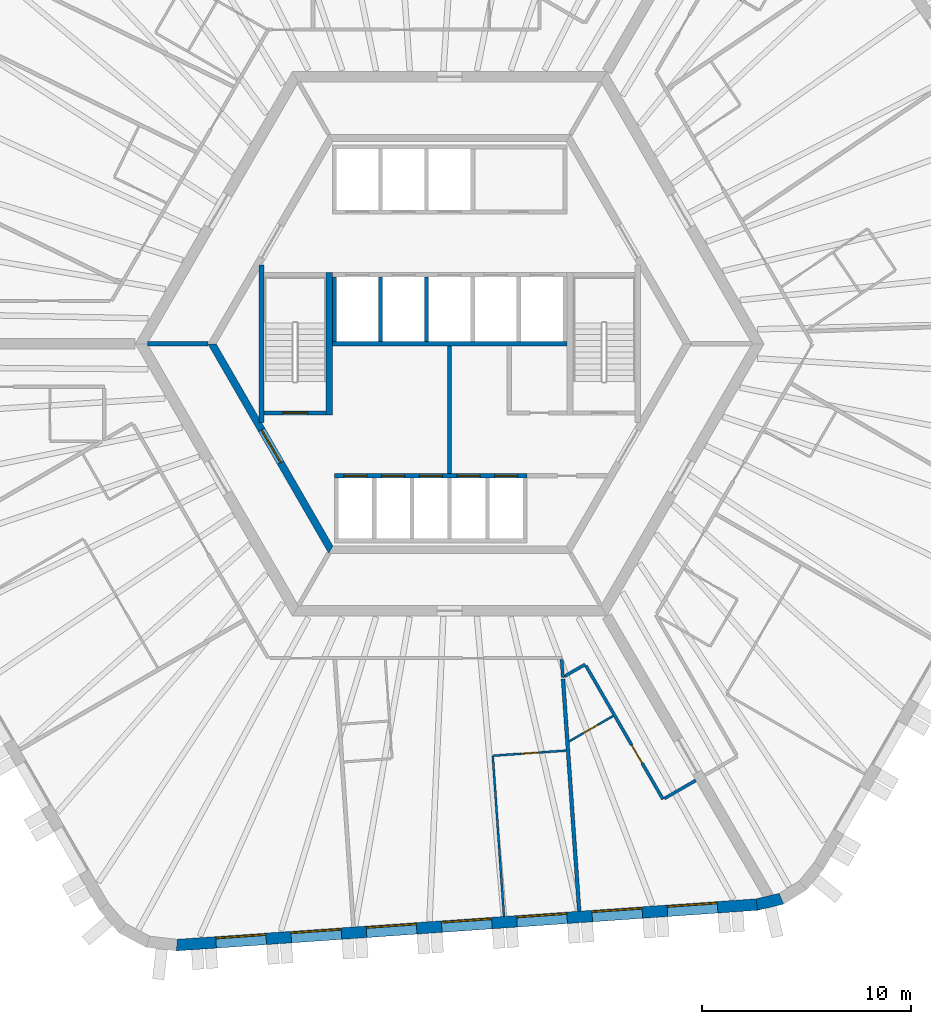
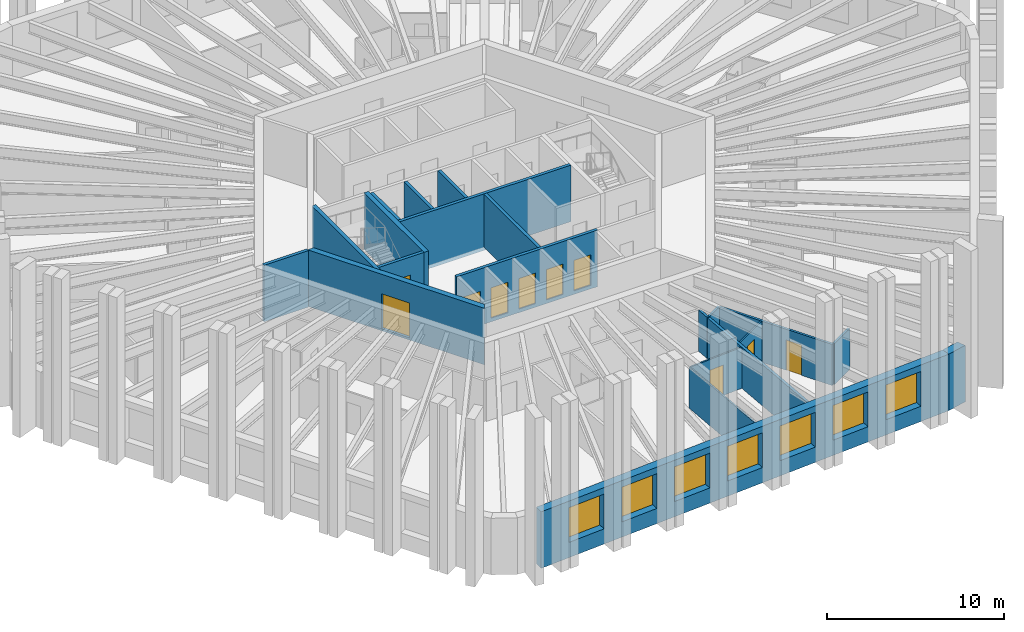
# One storey, part 4 of 10: 21 walls, 10 doors, 7 windows, 17 openings.
"""IFC4 building model written with IfcOpenShell, lengths in metres."""

from ifc_helpers import new_model, si_unit, direction, frame, frame_2d, origin, place, context, subcontext, project, spatial, polyline, rectangle, outline, extrude, material, layer, layer_set, type_object, element, fill, save


model = new_model("IFC4")

# Units and contexts
model_context = context("Model", 3, precision=1e-05, world=origin(), true_north=direction((0.0, 1.0)))
body_context = subcontext(model_context, "Body", "Model", "MODEL_VIEW")
ifc_project = project(units=[si_unit("LENGTHUNIT", "METRE"), si_unit("AREAUNIT", "SQUARE_METRE"), si_unit("VOLUMEUNIT", "CUBIC_METRE"), si_unit("PLANEANGLEUNIT", "RADIAN"), si_unit("MASSUNIT", "GRAM", prefix="KILO")], contexts=[model_context])

# Site, building, storey
site_placement = place(None, origin())
site = spatial("IfcSite", under=ifc_project, at=site_placement, CompositionType="ELEMENT")
building_placement = place(site_placement, origin())
building = spatial("IfcBuilding", under=site, at=building_placement, Name="Tarnside Tower", CompositionType="ELEMENT")
storey_placement = place(building_placement, frame((0.0, 0.0, 238.5)))
storey = spatial("IfcBuildingStorey", under=building, at=storey_placement, Name="L57", CompositionType="ELEMENT", Elevation=238.5)

# Wall, opening, door
ifc_material_1 = material(Name="Gypsum board partition on steel studs", Category="steel")
ifc_layer_1 = layer(ifc_material_1, 0.10009765625)
ifc_layer_set_1 = layer_set([ifc_layer_1], Name="Bathroom wall 100")
wall_type_1 = type_object("IfcWallType", Name="Bathroom wall 100", PredefinedType="PARTITIONING", material=ifc_layer_set_1)
wall_1_placement = place(storey_placement, frame((7.80322265625, -17.765380859375, 0.0), z_axis=(0.0, 0.0, 1.0), x_axis=(-0.865997239347, -0.500048779063, 0.0)))
wall_1 = element("IfcWall", 1, at=wall_1_placement, inside=storey, type_object=wall_type_1, Name="Bathroom wall 19097", PredefinedType="PARTITIONING", context=body_context, shape_type="SweptSolid", body=[
    extrude(rectangle(XDim=2.417724609375, YDim=0.10009765625, at=frame_2d((1.208984375, 0.0))), origin(), (0.0, 0.0, 1.0), 2.837890625),
])
opening_1_placement = place(wall_1_placement, frame((0.824951171875, 0.0, 0.0)))
opening_1 = element("IfcOpeningElement", 2, at=opening_1_placement, cuts=wall_1, Name="Opening D-B1", PredefinedType="OPENING", context=body_context, shape_type="SweptSolid", body=[
    extrude(rectangle(XDim=0.800048828125, YDim=2.10009765625, at=frame_2d((0.39990234375, 1.050048828125))), frame((0.0, 0.06005859375, 0.0), z_axis=(0.0, -1.0, 0.0), x_axis=(1.0, 0.0, 0.0)), (0.0, 0.0, 1.0), 0.1201171875),
])
ifc_material_2 = material(Name="Timber door leaf", Category="wood")
door_type_1 = type_object("IfcDoorType", Name="Bathroom door 800", OperationType="NOTDEFINED", PredefinedType="DOOR", material=ifc_material_2)
door_1_placement = place(opening_1_placement, origin())
door_1 = element("IfcDoor", 3, at=door_1_placement, inside=storey, type_object=door_type_1, Name="Bathroom door 19025", OperationType="SINGLE_SWING_LEFT", OverallHeight=2.10009765625, OverallWidth=0.800048828125, PredefinedType="DOOR", context=body_context, shape_type="SweptSolid", body=[
    extrude(rectangle(XDim=0.800048828125, YDim=2.10009765625, at=frame_2d((0.39990234375, 1.050048828125))), frame((0.0, 0.02490234375, 0.0), z_axis=(0.0, -1.0, 0.0), x_axis=(1.0, 0.0, 0.0)), (0.0, 0.0, 1.0), 0.050048828125),
])
fill(opening_1, door_1)

ifc_material_3 = material(Name="Concrete C50/60", Category="concrete")
ifc_layer_2 = layer(ifc_material_3, 0.35009765625)
ifc_layer_set_2 = layer_set([ifc_layer_2], Name="Core block wall 350 C50/60")
wall_type_2 = type_object("IfcWallType", Name="Core block wall 350 C50/60", PredefinedType="SHEAR", material=ifc_layer_set_2)
wall_2_placement = place(storey_placement, frame((-11.344970703125, 0.0, -0.14990234375), z_axis=(0.0, 0.0, 1.0), x_axis=(0.499995046907, -0.866028263435, 0.0)))
wall_2 = element("IfcWall", 4, at=wall_2_placement, inside=storey, type_object=wall_type_2, Name="L57 core block wall face 3", PredefinedType="SHEAR", context=body_context, shape_type="SweptSolid", body=[
    extrude(outline(polyline([(-0.10107421875, -0.175048828125), (11.44580078125, -0.175048828125), (11.24365234375, 0.175048828125), (0.10107421875, 0.175048828125), (-0.10107421875, -0.175048828125)])), origin(), (0.0, 0.0, 1.0), 3.89990234375),
])
opening_2_placement = place(wall_2_placement, frame((4.74365234375, 0.0, 0.14990234375)))
opening_2 = element("IfcOpeningElement", 5, at=opening_2_placement, cuts=wall_2, Name="Opening CD-FFL", PredefinedType="OPENING", context=body_context, shape_type="SweptSolid", body=[
    extrude(rectangle(XDim=1.800048828125, YDim=2.39990234375, at=frame_2d((0.89990234375, 1.199951171875))), frame((0.0, 0.18505859375, 0.0), z_axis=(0.0, -1.0, 0.0), x_axis=(1.0, 0.0, 0.0)), (0.0, 0.0, 1.0), 0.3701171875),
])
ifc_material_4 = material(Name="Steel fire door", Category="steel")
door_type_2 = type_object("IfcDoorType", Name="Firefighting lobby double door FD60S 1800x2400", OperationType="NOTDEFINED", PredefinedType="DOOR", material=ifc_material_4)
door_2_placement = place(opening_2_placement, origin())
door_2 = element("IfcDoor", 6, at=door_2_placement, inside=storey, type_object=door_type_2, Name="L57 lobby block door P3", OperationType="DOUBLE_DOOR_SINGLE_SWING", OverallHeight=2.39990234375, OverallWidth=1.800048828125, PredefinedType="DOOR", context=body_context, shape_type="SweptSolid", body=[
    extrude(rectangle(XDim=1.800048828125, YDim=2.39990234375, at=frame_2d((0.89990234375, 1.199951171875))), frame((0.0, 0.02490234375, 0.0), z_axis=(0.0, -1.0, 0.0), x_axis=(1.0, 0.0, 0.0)), (0.0, 0.0, 1.0), 0.050048828125),
])
fill(opening_2, door_2)

# Walls
ifc_material_5 = material(Name="Concrete C40/50", Category="concrete")
ifc_layer_3 = layer(ifc_material_5, 0.199951171875)
ifc_layer_set_3 = layer_set([ifc_layer_3], Name="Core room partition 200 C40/50")
wall_type_3 = type_object("IfcWallType", Name="Core room partition 200 C40/50", PredefinedType="PARTITIONING", material=ifc_layer_set_3)
wall_3_placement = place(storey_placement, frame((0.0, -6.199951171875, 0.0), z_axis=(0.0, 0.0, 1.0), x_axis=(0.0, 1.0, 0.0)))
element("IfcWall", 7, at=wall_3_placement, inside=storey, type_object=wall_type_3, Name="L57 core partition X0", PredefinedType="PARTITIONING", context=body_context, shape_type="SweptSolid", body=[
    extrude(rectangle(XDim=6.099853515625, YDim=0.199951171875, at=frame_2d((3.0498046875, 0.0))), origin(), (0.0, 0.0, 1.0), 3.64990234375),
])
ifc_layer_4 = layer(ifc_material_1, 0.14990234375)
ifc_layer_set_4 = layer_set([ifc_layer_4], Name="Corridor wall 150 EI 60")
wall_type_4 = type_object("IfcWallType", Name="Corridor wall 150 EI 60", PredefinedType="PARTITIONING", material=ifc_layer_set_4)
wall_4_placement = place(storey_placement, frame((5.3466796875, -15.074951171875, 0.0), z_axis=(0.0, 0.0, 1.0), x_axis=(0.069731635013, -0.997565786842, 0.0)))
element("IfcWall", 8, at=wall_4_placement, inside=storey, type_object=wall_type_4, Name="Corridor wall 19028", PredefinedType="PARTITIONING", context=body_context, shape_type="SweptSolid", body=[
    extrude(rectangle(XDim=0.84716796875, YDim=0.14990234375, at=frame_2d((0.423583984375, 0.0))), origin(), (0.0, 0.0, 1.0), 2.837890625),
])

# Wall, opening, door
wall_5_placement = place(storey_placement, frame((6.505615234375, -15.3681640625, 0.0), z_axis=(0.0, 0.0, 1.0), x_axis=(0.499995202058, -0.86602817386, 0.0)))
wall_5 = element("IfcWall", 9, at=wall_5_placement, inside=storey, type_object=wall_type_4, Name="Corridor wall 19030", PredefinedType="PARTITIONING", context=body_context, shape_type="SweptSolid", body=[
    extrude(rectangle(XDim=7.36083984375, YDim=0.14990234375, at=frame_2d((3.680419921875, 0.0))), origin(), (0.0, 0.0, 1.0), 2.837890625),
])
opening_3_placement = place(wall_5_placement, frame((4.367919921875, 0.0, 0.0)))
opening_3 = element("IfcOpeningElement", 10, at=opening_3_placement, cuts=wall_5, Name="Opening D-E1", PredefinedType="OPENING", context=body_context, shape_type="SweptSolid", body=[
    extrude(rectangle(XDim=1.0, YDim=2.10009765625, at=frame_2d((0.5, 1.050048828125))), frame((0.0, 0.0849609375, 0.0), z_axis=(0.0, -1.0, 0.0), x_axis=(1.0, 0.0, 0.0)), (0.0, 0.0, 1.0), 0.169921875),
])
door_type_3 = type_object("IfcDoorType", Name="Unit entrance door 1000 FD30S", OperationType="NOTDEFINED", PredefinedType="DOOR", material=ifc_material_2)
door_3_placement = place(opening_3_placement, origin())
door_3 = element("IfcDoor", 11, at=door_3_placement, inside=storey, type_object=door_type_3, Name="Unit door 19024", OperationType="SINGLE_SWING_RIGHT", OverallHeight=2.10009765625, OverallWidth=1.0, PredefinedType="DOOR", context=body_context, shape_type="SweptSolid", body=[
    extrude(rectangle(XDim=1.0, YDim=2.10009765625, at=frame_2d((0.5, 1.050048828125))), frame((0.0, 0.02490234375, 0.0), z_axis=(0.0, -1.0, 0.0), x_axis=(1.0, 0.0, 0.0)), (0.0, 0.0, 1.0), 0.050048828125),
])
fill(opening_3, door_3)

# Walls
wall_6_placement = place(storey_placement, frame((10.2509765625, -21.705322265625, 0.0), z_axis=(0.0, 0.0, 1.0), x_axis=(0.866013532718, 0.500020560727, 0.0)))
element("IfcWall", 12, at=wall_6_placement, inside=storey, type_object=wall_type_4, Name="Corridor wall 19031", PredefinedType="PARTITIONING", context=body_context, shape_type="SweptSolid", body=[
    extrude(rectangle(XDim=1.72509765625, YDim=0.14990234375, at=frame_2d((0.862548828125, 0.0))), origin(), (0.0, 0.0, 1.0), 2.837890625),
])
wall_7_placement = place(storey_placement, frame((5.477783203125, -15.875, 0.0), z_axis=(0.0, 0.0, 1.0), x_axis=(0.866000689289, 0.500042804318, 0.0)))
element("IfcWall", 13, at=wall_7_placement, inside=storey, type_object=wall_type_4, Name="Corridor wall 19032", PredefinedType="PARTITIONING", context=body_context, shape_type="SweptSolid", body=[
    extrude(rectangle(XDim=1.1435546875, YDim=0.14990234375, at=frame_2d((0.57177734375, 0.0))), origin(), (0.0, 0.0, 1.0), 2.837890625),
])
ifc_layer_5 = layer(ifc_material_1, 0.179931640625)
ifc_layer_set_5 = layer_set([ifc_layer_5], Name="Demising wall 180 EI 60")
wall_type_5 = type_object("IfcWallType", Name="Demising wall 180 EI 60", PredefinedType="PARTITIONING", material=ifc_layer_set_5)
wall_8_placement = place(storey_placement, frame((6.186279296875, -27.08447265625, 0.0), z_axis=(0.0, 0.0, 1.0), x_axis=(-0.069737079037, 0.99756540628, 0.0)))
element("IfcWall", 14, at=wall_8_placement, inside=storey, type_object=wall_type_5, Name="Demising wall 19093", PredefinedType="PARTITIONING", context=body_context, shape_type="SweptSolid", body=[
    extrude(rectangle(XDim=11.11181640625, YDim=0.179931640625, at=frame_2d((5.555908203125, 0.0))), origin(), (0.0, 0.0, 1.0), 2.837890625),
])
ifc_layer_6 = layer(ifc_material_5, 0.199951171875)
ifc_layer_set_6 = layer_set([ifc_layer_6], Name="Lift shaft wall 200 C40/50")
wall_type_6 = type_object("IfcWallType", Name="Lift shaft wall 200 C40/50", PredefinedType="SHEAR", material=ifc_layer_set_6)
wall_9_placement = place(storey_placement, frame((-5.60009765625, 0.0, -0.25), z_axis=(0.0, 0.0, 1.0), x_axis=(1.0, 0.0, 0.0)))
element("IfcWall", 15, at=wall_9_placement, inside=storey, type_object=wall_type_6, Name="L57 lift shaft back wall R2", PredefinedType="SHEAR", context=body_context, shape_type="SweptSolid", body=[
    extrude(rectangle(XDim=11.2001953125, YDim=0.199951171875, at=frame_2d((5.60009765625, 0.0))), origin(), (0.0, 0.0, 1.0), 3.89990234375),
])
for number, where, z_axis, x_axis, name in (
    (16, (-5.5, 0.10009765625, -0.25), (0.0, 0.0, 1.0), (0.0, 1.0, 0.0), "L57 lift shaft partition R21"),
    (17, (-3.300048828125, 0.10009765625, -0.25), (0.0, 0.0, 1.0), (0.0, 1.0, 0.0), "L57 lift shaft partition R22"),
    (18, (-1.10009765625, 0.10009765625, -0.25), (0.0, 0.0, 1.0), (0.0, 1.0, 0.0), "L57 lift shaft partition R23"),
):
    element("IfcWall", number, at=place(storey_placement, frame(where, z_axis=z_axis, x_axis=x_axis)), inside=storey, type_object=wall_type_6, Name=name, PredefinedType="SHEAR", context=body_context, shape_type="SweptSolid", body=[
        extrude(rectangle(XDim=3.099853515625, YDim=0.199951171875, at=frame_2d((1.5498046875, 0.0))), origin(), (0.0, 0.0, 1.0), 3.89990234375),
    ])

# Wall, openings, doors
wall_10_placement = place(storey_placement, frame((-5.5, -6.300048828125, -0.25), z_axis=(0.0, 0.0, 1.0), x_axis=(1.0, 0.0, 0.0)))
wall_10 = element("IfcWall", 19, at=wall_10_placement, inside=storey, type_object=wall_type_6, Name="L57 lift shaft front wall R4", PredefinedType="SHEAR", context=body_context, shape_type="SweptSolid", body=[
    extrude(rectangle(XDim=9.199951171875, YDim=0.199951171875, at=frame_2d((4.60009765625, 0.0))), origin(), (0.0, 0.0, 1.0), 3.89990234375),
])
opening_4_placement = place(wall_10_placement, frame((0.449951171875, 0.0, 0.25)))
opening_4 = element("IfcOpeningElement", 20, at=opening_4_placement, cuts=wall_10, Name="Opening LDF", PredefinedType="OPENING", context=body_context, shape_type="SweptSolid", body=[
    extrude(rectangle(XDim=1.10009765625, YDim=2.10009765625, at=frame_2d((0.550048828125, 1.050048828125))), frame((0.0, 0.10986328125, 0.0), z_axis=(0.0, -1.0, 0.0), x_axis=(1.0, 0.0, 0.0)), (0.0, 0.0, 1.0), 0.219970703125),
])
opening_5_placement = place(wall_10_placement, frame((2.25, 0.0, 0.25)))
opening_5 = element("IfcOpeningElement", 21, at=opening_5_placement, cuts=wall_10, Name="Opening LDF", PredefinedType="OPENING", context=body_context, shape_type="SweptSolid", body=[
    extrude(rectangle(XDim=1.10009765625, YDim=2.10009765625, at=frame_2d((0.550048828125, 1.050048828125))), frame((0.0, 0.10986328125, 0.0), z_axis=(0.0, -1.0, 0.0), x_axis=(1.0, 0.0, 0.0)), (0.0, 0.0, 1.0), 0.219970703125),
])
opening_6_placement = place(wall_10_placement, frame((4.050048828125, 0.0, 0.25)))
opening_6 = element("IfcOpeningElement", 22, at=opening_6_placement, cuts=wall_10, Name="Opening LDF", PredefinedType="OPENING", context=body_context, shape_type="SweptSolid", body=[
    extrude(rectangle(XDim=1.10009765625, YDim=2.10009765625, at=frame_2d((0.550048828125, 1.050048828125))), frame((0.0, 0.10986328125, 0.0), z_axis=(0.0, -1.0, 0.0), x_axis=(1.0, 0.0, 0.0)), (0.0, 0.0, 1.0), 0.219970703125),
])
opening_7_placement = place(wall_10_placement, frame((5.85009765625, 0.0, 0.25)))
opening_7 = element("IfcOpeningElement", 23, at=opening_7_placement, cuts=wall_10, Name="Opening LDF", PredefinedType="OPENING", context=body_context, shape_type="SweptSolid", body=[
    extrude(rectangle(XDim=1.10009765625, YDim=2.10009765625, at=frame_2d((0.550048828125, 1.050048828125))), frame((0.0, 0.10986328125, 0.0), z_axis=(0.0, -1.0, 0.0), x_axis=(1.0, 0.0, 0.0)), (0.0, 0.0, 1.0), 0.219970703125),
])
opening_8_placement = place(wall_10_placement, frame((7.64990234375, 0.0, 0.25)))
opening_8 = element("IfcOpeningElement", 24, at=opening_8_placement, cuts=wall_10, Name="Opening LDF", PredefinedType="OPENING", context=body_context, shape_type="SweptSolid", body=[
    extrude(rectangle(XDim=1.10009765625, YDim=2.10009765625, at=frame_2d((0.550048828125, 1.050048828125))), frame((0.0, 0.10986328125, 0.0), z_axis=(0.0, -1.0, 0.0), x_axis=(1.0, 0.0, 0.0)), (0.0, 0.0, 1.0), 0.219970703125),
])
ifc_material_6 = material(Name="Stainless steel", Category="steel")
door_type_4 = type_object("IfcDoorType", Name="Lift landing door 1100x2100 EI 120", OperationType="NOTDEFINED", PredefinedType="DOOR", material=ifc_material_6)
door_4_placement = place(opening_4_placement, origin())
door_4 = element("IfcDoor", 25, at=door_4_placement, inside=storey, type_object=door_type_4, Name="Firefighting lift 1 landing door L57", OperationType="SLIDING_TO_LEFT", OverallHeight=2.10009765625, OverallWidth=1.10009765625, PredefinedType="DOOR", context=body_context, shape_type="SweptSolid", body=[
    extrude(rectangle(XDim=1.10009765625, YDim=2.10009765625, at=frame_2d((0.550048828125, 1.050048828125))), frame((0.0, 0.02490234375, 0.0), z_axis=(0.0, -1.0, 0.0), x_axis=(1.0, 0.0, 0.0)), (0.0, 0.0, 1.0), 0.050048828125),
])
fill(opening_4, door_4)
door_5_placement = place(opening_5_placement, origin())
door_5 = element("IfcDoor", 26, at=door_5_placement, inside=storey, type_object=door_type_4, Name="Firefighting lift 2 landing door L57", OperationType="SLIDING_TO_LEFT", OverallHeight=2.10009765625, OverallWidth=1.10009765625, PredefinedType="DOOR", context=body_context, shape_type="SweptSolid", body=[
    extrude(rectangle(XDim=1.10009765625, YDim=2.10009765625, at=frame_2d((0.550048828125, 1.050048828125))), frame((0.0, 0.02490234375, 0.0), z_axis=(0.0, -1.0, 0.0), x_axis=(1.0, 0.0, 0.0)), (0.0, 0.0, 1.0), 0.050048828125),
])
fill(opening_5, door_5)
door_6_placement = place(opening_6_placement, origin())
door_6 = element("IfcDoor", 27, at=door_6_placement, inside=storey, type_object=door_type_4, Name="Firefighting lift 3 landing door L57", OperationType="SLIDING_TO_LEFT", OverallHeight=2.10009765625, OverallWidth=1.10009765625, PredefinedType="DOOR", context=body_context, shape_type="SweptSolid", body=[
    extrude(rectangle(XDim=1.10009765625, YDim=2.10009765625, at=frame_2d((0.550048828125, 1.050048828125))), frame((0.0, 0.02490234375, 0.0), z_axis=(0.0, -1.0, 0.0), x_axis=(1.0, 0.0, 0.0)), (0.0, 0.0, 1.0), 0.050048828125),
])
fill(opening_6, door_6)
door_7_placement = place(opening_7_placement, origin())
door_7 = element("IfcDoor", 28, at=door_7_placement, inside=storey, type_object=door_type_4, Name="Firefighting lift 4 landing door L57", OperationType="SLIDING_TO_LEFT", OverallHeight=2.10009765625, OverallWidth=1.10009765625, PredefinedType="DOOR", context=body_context, shape_type="SweptSolid", body=[
    extrude(rectangle(XDim=1.10009765625, YDim=2.10009765625, at=frame_2d((0.550048828125, 1.050048828125))), frame((0.0, 0.02490234375, 0.0), z_axis=(0.0, -1.0, 0.0), x_axis=(1.0, 0.0, 0.0)), (0.0, 0.0, 1.0), 0.050048828125),
])
fill(opening_7, door_7)
door_8_placement = place(opening_8_placement, origin())
door_8 = element("IfcDoor", 29, at=door_8_placement, inside=storey, type_object=door_type_4, Name="Firefighting lift 5 landing door L57", OperationType="SLIDING_TO_LEFT", OverallHeight=2.10009765625, OverallWidth=1.10009765625, PredefinedType="DOOR", context=body_context, shape_type="SweptSolid", body=[
    extrude(rectangle(XDim=1.10009765625, YDim=2.10009765625, at=frame_2d((0.550048828125, 1.050048828125))), frame((0.0, 0.02490234375, 0.0), z_axis=(0.0, -1.0, 0.0), x_axis=(1.0, 0.0, 0.0)), (0.0, 0.0, 1.0), 0.050048828125),
])
fill(opening_8, door_8)

# Wall
wall_11_placement = place(storey_placement, frame((-11.547119140625, 0.0, -0.14990234375), z_axis=(0.0, 0.0, 1.0), x_axis=(-1.0, 0.0, 0.0)))
element("IfcWall", 30, at=wall_11_placement, inside=storey, type_object=wall_type_6, Name="L57 core partition AR180", PredefinedType="SHEAR", context=body_context, shape_type="SweptSolid", body=[
    extrude(rectangle(XDim=2.88671875, YDim=0.199951171875, at=frame_2d((1.443359375, 0.0))), origin(), (0.0, 0.0, 1.0), 3.89990234375),
])

# Wall, opening, door
wall_12_placement = place(storey_placement, frame((-8.85009765625, -3.300048828125, -0.25), z_axis=(0.0, 0.0, 1.0), x_axis=(1.0, 0.0, 0.0)))
wall_12 = element("IfcWall", 31, at=wall_12_placement, inside=storey, type_object=wall_type_6, Name="L57 stair 2 enclosure cap wall s", PredefinedType="SHEAR", context=body_context, shape_type="SweptSolid", body=[
    extrude(rectangle(XDim=2.9501953125, YDim=0.199951171875, at=frame_2d((1.47509765625, 0.0))), origin(), (0.0, 0.0, 1.0), 3.89990234375),
])
opening_9_placement = place(wall_12_placement, frame((0.875, 0.0, 0.25)))
opening_9 = element("IfcOpeningElement", 32, at=opening_9_placement, cuts=wall_12, Name="Opening CD-STR", PredefinedType="OPENING", context=body_context, shape_type="SweptSolid", body=[
    extrude(rectangle(XDim=1.199951171875, YDim=2.39990234375, at=frame_2d((0.60009765625, 1.199951171875))), frame((0.0, 0.10986328125, 0.0), z_axis=(0.0, -1.0, 0.0), x_axis=(1.0, 0.0, 0.0)), (0.0, 0.0, 1.0), 0.219970703125),
])
door_type_5 = type_object("IfcDoorType", Name="Stair door FD60S 1200x2400", OperationType="NOTDEFINED", PredefinedType="DOOR", material=ifc_material_4)
door_9_placement = place(opening_9_placement, origin())
door_9 = element("IfcDoor", 33, at=door_9_placement, inside=storey, type_object=door_type_5, Name="L57 stair 2 door", OperationType="SINGLE_SWING_LEFT", OverallHeight=2.39990234375, OverallWidth=1.199951171875, PredefinedType="DOOR", context=body_context, shape_type="SweptSolid", body=[
    extrude(rectangle(XDim=1.199951171875, YDim=2.39990234375, at=frame_2d((0.60009765625, 1.199951171875))), frame((0.0, 0.02490234375, 0.0), z_axis=(0.0, -1.0, 0.0), x_axis=(1.0, 0.0, 0.0)), (0.0, 0.0, 1.0), 0.050048828125),
])
fill(opening_9, door_9)

# Wall
ifc_layer_7 = layer(ifc_material_1, 0.10009765625)
ifc_layer_set_7 = layer_set([ifc_layer_7], Name="Partition 100")
wall_type_7 = type_object("IfcWallType", Name="Partition 100", PredefinedType="PARTITIONING", material=ifc_layer_set_7)
wall_13_placement = place(storey_placement, frame((2.59521484375, -27.33544921875, 0.0), z_axis=(0.0, 0.0, 1.0), x_axis=(-0.069769427287, 0.997563144375, 0.0)))
element("IfcWall", 34, at=wall_13_placement, inside=storey, type_object=wall_type_7, Name="Partition wall 19091", PredefinedType="PARTITIONING", context=body_context, shape_type="SweptSolid", body=[
    extrude(rectangle(XDim=7.69140625, YDim=0.10009765625, at=frame_2d((3.845703125, 0.0))), origin(), (0.0, 0.0, 1.0), 2.837890625),
])

# Wall, opening, door
wall_14_placement = place(storey_placement, frame((2.108642578125, -19.6591796875, 0.0), z_axis=(0.0, 0.0, 1.0), x_axis=(0.997566776398, 0.069717477193, 0.0)))
wall_14 = element("IfcWall", 35, at=wall_14_placement, inside=storey, type_object=wall_type_7, Name="Partition wall 19092", PredefinedType="PARTITIONING", context=body_context, shape_type="SweptSolid", body=[
    extrude(rectangle(XDim=3.459716796875, YDim=0.10009765625, at=frame_2d((1.72998046875, 0.0))), origin(), (0.0, 0.0, 1.0), 2.837890625),
])
opening_10_placement = place(wall_14_placement, frame((1.300048828125, 0.0, 0.0)))
opening_10 = element("IfcOpeningElement", 36, at=opening_10_placement, cuts=wall_14, Name="Opening D-I1", PredefinedType="OPENING", context=body_context, shape_type="SweptSolid", body=[
    extrude(rectangle(XDim=0.89990234375, YDim=2.10009765625, at=frame_2d((0.449951171875, 1.050048828125))), frame((0.0, 0.06005859375, 0.0), z_axis=(0.0, -1.0, 0.0), x_axis=(1.0, 0.0, 0.0)), (0.0, 0.0, 1.0), 0.1201171875),
])
door_type_6 = type_object("IfcDoorType", Name="Internal door 900", OperationType="NOTDEFINED", PredefinedType="DOOR", material=ifc_material_2)
door_10_placement = place(opening_10_placement, origin())
door_10 = element("IfcDoor", 37, at=door_10_placement, inside=storey, type_object=door_type_6, Name="Internal door 19023", OperationType="SINGLE_SWING_LEFT", OverallHeight=2.10009765625, OverallWidth=0.89990234375, PredefinedType="DOOR", context=body_context, shape_type="SweptSolid", body=[
    extrude(rectangle(XDim=0.89990234375, YDim=2.10009765625, at=frame_2d((0.449951171875, 1.050048828125))), frame((0.0, 0.02490234375, 0.0), z_axis=(0.0, -1.0, 0.0), x_axis=(1.0, 0.0, 0.0)), (0.0, 0.0, 1.0), 0.050048828125),
])
fill(opening_10, door_10)

# Walls
ifc_layer_8 = layer(ifc_material_5, 0.25)
ifc_layer_set_8 = layer_set([ifc_layer_8], Name="Stair enclosure wall 250 C40/50")
wall_type_8 = type_object("IfcWallType", Name="Stair enclosure wall 250 C40/50", PredefinedType="SHEAR", material=ifc_layer_set_8)
wall_15_placement = place(storey_placement, frame((-8.97509765625, -3.7548828125, -0.25), z_axis=(0.0, 0.0, 1.0), x_axis=(0.0, 1.0, 0.0)))
element("IfcWall", 38, at=wall_15_placement, inside=storey, type_object=wall_type_8, Name="L57 stair 2 enclosure wall outer", PredefinedType="SHEAR", context=body_context, shape_type="SweptSolid", body=[
    extrude(rectangle(XDim=7.509765625, YDim=0.25, at=frame_2d((3.7548828125, 0.0))), origin(), (0.0, 0.0, 1.0), 3.89990234375),
])
ifc_layer_9 = layer(ifc_material_5, 0.300048828125)
ifc_layer_set_9 = layer_set([ifc_layer_9], Name="Stair enclosure wall 300 C40/50")
wall_type_9 = type_object("IfcWallType", Name="Stair enclosure wall 300 C40/50", PredefinedType="SHEAR", material=ifc_layer_set_9)
wall_16_placement = place(storey_placement, frame((-5.75, -3.39990234375, -0.25), z_axis=(0.0, 0.0, 1.0), x_axis=(0.0, 1.0, 0.0)))
element("IfcWall", 39, at=wall_16_placement, inside=storey, type_object=wall_type_9, Name="L57 stair 2 enclosure wall inner", PredefinedType="SHEAR", context=body_context, shape_type="SweptSolid", body=[
    extrude(rectangle(XDim=6.7998046875, YDim=0.300048828125, at=frame_2d((3.39990234375, 0.0))), origin(), (0.0, 0.0, 1.0), 3.89990234375),
])

# Wall, openings, windows
ifc_material_7 = material(Name="Facing brick", Category="masonry")
ifc_layer_10 = layer(ifc_material_7, 0.10205078125)
ifc_material_8 = material(Name="Concrete C60/75 precast", Category="concrete")
ifc_layer_11 = layer(ifc_material_8, 0.347900390625)
ifc_material_9 = material(Name="Mineral wool insulation")
ifc_layer_12 = layer(ifc_material_9, 0.10009765625)
ifc_layer_set_10 = layer_set([ifc_layer_10, ifc_layer_11, ifc_layer_12], Name="Tube wall 550 brick faced")
wall_type_10 = type_object("IfcWallType", Name="Tube wall 550 brick faced", PredefinedType="SOLIDWALL", material=ifc_layer_set_10)
wall_17_placement = place(storey_placement, frame((-13.0263671875, -28.70361328125, -0.14990234375), z_axis=(0.0, 0.0, 1.0), x_axis=(0.99756406806, 0.069756219185, 0.0)))
wall_17 = element("IfcWall", 40, at=wall_17_placement, inside=storey, type_object=wall_type_10, Name="Tube wall L57 F4 flush 12", PredefinedType="SOLIDWALL", context=body_context, shape_type="SweptSolid", body=[
    extrude(outline(polyline([(-0.025634765625, -0.27490234375), (27.7802734375, -0.27490234375), (27.7353515625, 0.27490234375), (0.025634765625, 0.27490234375), (-0.025634765625, -0.27490234375)])), origin(), (0.0, 0.0, 1.0), 3.89990234375),
])
opening_11_placement = place(wall_17_placement, frame((1.87890625, 0.0, 1.050048828125)))
opening_11 = element("IfcOpeningElement", 41, at=opening_11_placement, cuts=wall_17, Name="Opening WH", PredefinedType="OPENING", context=body_context, shape_type="SweptSolid", body=[
    extrude(rectangle(XDim=2.39990234375, YDim=2.39990234375, at=frame_2d((1.199951171875, 1.199951171875))), frame((0.0, 0.28515625, 0.0), z_axis=(0.0, -1.0, 0.0), x_axis=(1.0, 0.0, 0.0)), (0.0, 0.0, 1.0), 0.570068359375),
])
opening_12_placement = place(wall_17_placement, frame((5.47900390625, 0.0, 1.050048828125)))
opening_12 = element("IfcOpeningElement", 42, at=opening_12_placement, cuts=wall_17, Name="Opening WH", PredefinedType="OPENING", context=body_context, shape_type="SweptSolid", body=[
    extrude(rectangle(XDim=2.39990234375, YDim=2.39990234375, at=frame_2d((1.199951171875, 1.199951171875))), frame((0.0, 0.28515625, 0.0), z_axis=(0.0, -1.0, 0.0), x_axis=(1.0, 0.0, 0.0)), (0.0, 0.0, 1.0), 0.570068359375),
])
opening_13_placement = place(wall_17_placement, frame((9.078857421875, 0.0, 1.050048828125)))
opening_13 = element("IfcOpeningElement", 43, at=opening_13_placement, cuts=wall_17, Name="Opening WH", PredefinedType="OPENING", context=body_context, shape_type="SweptSolid", body=[
    extrude(rectangle(XDim=2.39990234375, YDim=2.39990234375, at=frame_2d((1.199951171875, 1.199951171875))), frame((0.0, 0.28515625, 0.0), z_axis=(0.0, -1.0, 0.0), x_axis=(1.0, 0.0, 0.0)), (0.0, 0.0, 1.0), 0.570068359375),
])
opening_14_placement = place(wall_17_placement, frame((12.678955078125, 0.0, 1.050048828125)))
opening_14 = element("IfcOpeningElement", 44, at=opening_14_placement, cuts=wall_17, Name="Opening WH", PredefinedType="OPENING", context=body_context, shape_type="SweptSolid", body=[
    extrude(rectangle(XDim=2.39990234375, YDim=2.39990234375, at=frame_2d((1.199951171875, 1.199951171875))), frame((0.0, 0.28515625, 0.0), z_axis=(0.0, -1.0, 0.0), x_axis=(1.0, 0.0, 0.0)), (0.0, 0.0, 1.0), 0.570068359375),
])
opening_15_placement = place(wall_17_placement, frame((16.27880859375, 0.0, 1.050048828125)))
opening_15 = element("IfcOpeningElement", 45, at=opening_15_placement, cuts=wall_17, Name="Opening WH", PredefinedType="OPENING", context=body_context, shape_type="SweptSolid", body=[
    extrude(rectangle(XDim=2.39990234375, YDim=2.39990234375, at=frame_2d((1.199951171875, 1.199951171875))), frame((0.0, 0.28515625, 0.0), z_axis=(0.0, -1.0, 0.0), x_axis=(1.0, 0.0, 0.0)), (0.0, 0.0, 1.0), 0.570068359375),
])
opening_16_placement = place(wall_17_placement, frame((19.87890625, 0.0, 1.050048828125)))
opening_16 = element("IfcOpeningElement", 46, at=opening_16_placement, cuts=wall_17, Name="Opening WH", PredefinedType="OPENING", context=body_context, shape_type="SweptSolid", body=[
    extrude(rectangle(XDim=2.39990234375, YDim=2.39990234375, at=frame_2d((1.199951171875, 1.199951171875))), frame((0.0, 0.28515625, 0.0), z_axis=(0.0, -1.0, 0.0), x_axis=(1.0, 0.0, 0.0)), (0.0, 0.0, 1.0), 0.570068359375),
])
opening_17_placement = place(wall_17_placement, frame((23.47900390625, 0.0, 1.050048828125)))
opening_17 = element("IfcOpeningElement", 47, at=opening_17_placement, cuts=wall_17, Name="Opening WH", PredefinedType="OPENING", context=body_context, shape_type="SweptSolid", body=[
    extrude(rectangle(XDim=2.39990234375, YDim=2.39990234375, at=frame_2d((1.199951171875, 1.199951171875))), frame((0.0, 0.28515625, 0.0), z_axis=(0.0, -1.0, 0.0), x_axis=(1.0, 0.0, 0.0)), (0.0, 0.0, 1.0), 0.570068359375),
])
ifc_material_10 = material(Name="Aluminium-framed double glazing", Category="aluminium")
window_type = type_object("IfcWindowType", Name="Hotel window 2400 x 2400", PartitioningType="DOUBLE_PANEL_VERTICAL", PredefinedType="WINDOW", material=ifc_material_10)
window_1_placement = place(opening_11_placement, frame((0.0, 0.205078125, 0.0)))
window_1 = element("IfcWindow", 48, at=window_1_placement, inside=storey, type_object=window_type, Name="E.WN.L57.F4.00", OverallHeight=2.39990234375, OverallWidth=2.39990234375, PartitioningType="DOUBLE_PANEL_VERTICAL", PredefinedType="WINDOW", context=body_context, shape_type="SweptSolid", body=[
    extrude(rectangle(XDim=2.39990234375, YDim=2.39990234375, at=frame_2d((1.199951171875, 1.199951171875))), frame((0.0, 0.030029296875, 0.0), z_axis=(0.0, -1.0, 0.0), x_axis=(1.0, 0.0, 0.0)), (0.0, 0.0, 1.0), 0.06005859375),
])
fill(opening_11, window_1)
window_2_placement = place(opening_12_placement, frame((0.0, 0.205078125, 0.0)))
window_2 = element("IfcWindow", 49, at=window_2_placement, inside=storey, type_object=window_type, Name="E.WN.L57.F4.01", OverallHeight=2.39990234375, OverallWidth=2.39990234375, PartitioningType="DOUBLE_PANEL_VERTICAL", PredefinedType="WINDOW", context=body_context, shape_type="SweptSolid", body=[
    extrude(rectangle(XDim=2.39990234375, YDim=2.39990234375, at=frame_2d((1.199951171875, 1.199951171875))), frame((0.0, 0.030029296875, 0.0), z_axis=(0.0, -1.0, 0.0), x_axis=(1.0, 0.0, 0.0)), (0.0, 0.0, 1.0), 0.06005859375),
])
fill(opening_12, window_2)
window_3_placement = place(opening_13_placement, frame((0.0, 0.205078125, 0.0)))
window_3 = element("IfcWindow", 50, at=window_3_placement, inside=storey, type_object=window_type, Name="E.WN.L57.F4.02", OverallHeight=2.39990234375, OverallWidth=2.39990234375, PartitioningType="DOUBLE_PANEL_VERTICAL", PredefinedType="WINDOW", context=body_context, shape_type="SweptSolid", body=[
    extrude(rectangle(XDim=2.39990234375, YDim=2.39990234375, at=frame_2d((1.199951171875, 1.199951171875))), frame((0.0, 0.030029296875, 0.0), z_axis=(0.0, -1.0, 0.0), x_axis=(1.0, 0.0, 0.0)), (0.0, 0.0, 1.0), 0.06005859375),
])
fill(opening_13, window_3)
window_4_placement = place(opening_14_placement, frame((0.0, 0.205078125, 0.0)))
window_4 = element("IfcWindow", 51, at=window_4_placement, inside=storey, type_object=window_type, Name="E.WN.L57.F4.03", OverallHeight=2.39990234375, OverallWidth=2.39990234375, PartitioningType="DOUBLE_PANEL_VERTICAL", PredefinedType="WINDOW", context=body_context, shape_type="SweptSolid", body=[
    extrude(rectangle(XDim=2.39990234375, YDim=2.39990234375, at=frame_2d((1.199951171875, 1.199951171875))), frame((0.0, 0.030029296875, 0.0), z_axis=(0.0, -1.0, 0.0), x_axis=(1.0, 0.0, 0.0)), (0.0, 0.0, 1.0), 0.06005859375),
])
fill(opening_14, window_4)
window_5_placement = place(opening_15_placement, frame((0.0, 0.205078125, 0.0)))
window_5 = element("IfcWindow", 52, at=window_5_placement, inside=storey, type_object=window_type, Name="E.WN.L57.F4.04", OverallHeight=2.39990234375, OverallWidth=2.39990234375, PartitioningType="DOUBLE_PANEL_VERTICAL", PredefinedType="WINDOW", context=body_context, shape_type="SweptSolid", body=[
    extrude(rectangle(XDim=2.39990234375, YDim=2.39990234375, at=frame_2d((1.199951171875, 1.199951171875))), frame((0.0, 0.030029296875, 0.0), z_axis=(0.0, -1.0, 0.0), x_axis=(1.0, 0.0, 0.0)), (0.0, 0.0, 1.0), 0.06005859375),
])
fill(opening_15, window_5)
window_6_placement = place(opening_16_placement, frame((0.0, 0.205078125, 0.0)))
window_6 = element("IfcWindow", 53, at=window_6_placement, inside=storey, type_object=window_type, Name="E.WN.L57.F4.05", OverallHeight=2.39990234375, OverallWidth=2.39990234375, PartitioningType="DOUBLE_PANEL_VERTICAL", PredefinedType="WINDOW", context=body_context, shape_type="SweptSolid", body=[
    extrude(rectangle(XDim=2.39990234375, YDim=2.39990234375, at=frame_2d((1.199951171875, 1.199951171875))), frame((0.0, 0.030029296875, 0.0), z_axis=(0.0, -1.0, 0.0), x_axis=(1.0, 0.0, 0.0)), (0.0, 0.0, 1.0), 0.06005859375),
])
fill(opening_16, window_6)
window_7_placement = place(opening_17_placement, frame((0.0, 0.205078125, 0.0)))
window_7 = element("IfcWindow", 54, at=window_7_placement, inside=storey, type_object=window_type, Name="E.WN.L57.F4.06", OverallHeight=2.39990234375, OverallWidth=2.39990234375, PartitioningType="DOUBLE_PANEL_VERTICAL", PredefinedType="WINDOW", context=body_context, shape_type="SweptSolid", body=[
    extrude(rectangle(XDim=2.39990234375, YDim=2.39990234375, at=frame_2d((1.199951171875, 1.199951171875))), frame((0.0, 0.030029296875, 0.0), z_axis=(0.0, -1.0, 0.0), x_axis=(1.0, 0.0, 0.0)), (0.0, 0.0, 1.0), 0.06005859375),
])
fill(opening_17, window_7)

# Wall
wall_18_placement = place(storey_placement, frame((14.663818359375, -26.767333984375, -0.14990234375), z_axis=(0.0, 0.0, 1.0), x_axis=(0.973063591128, 0.230536868247, 0.0)))
element("IfcWall", 55, at=wall_18_placement, inside=storey, type_object=wall_type_10, Name="Tube wall L57 F4 chord 13", PredefinedType="SOLIDWALL", context=body_context, shape_type="SweptSolid", body=[
    extrude(outline(polyline([(-0.0224609375, -0.27490234375), (1.25341796875, -0.27490234375), (1.1630859375, 0.27490234375), (0.0224609375, 0.27490234375), (-0.0224609375, -0.27490234375)])), origin(), (0.0, 0.0, 1.0), 3.89990234375),
])

save(model, "model.ifc")
